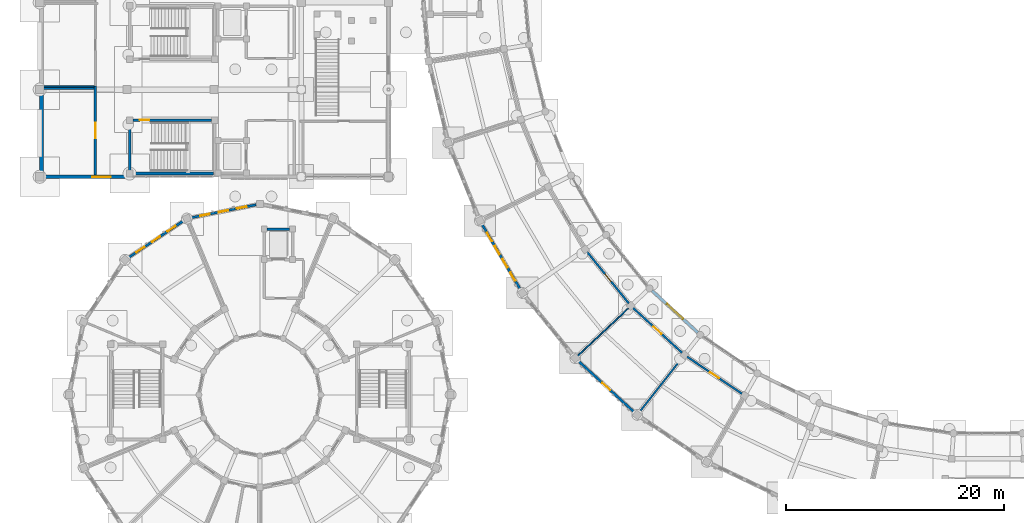
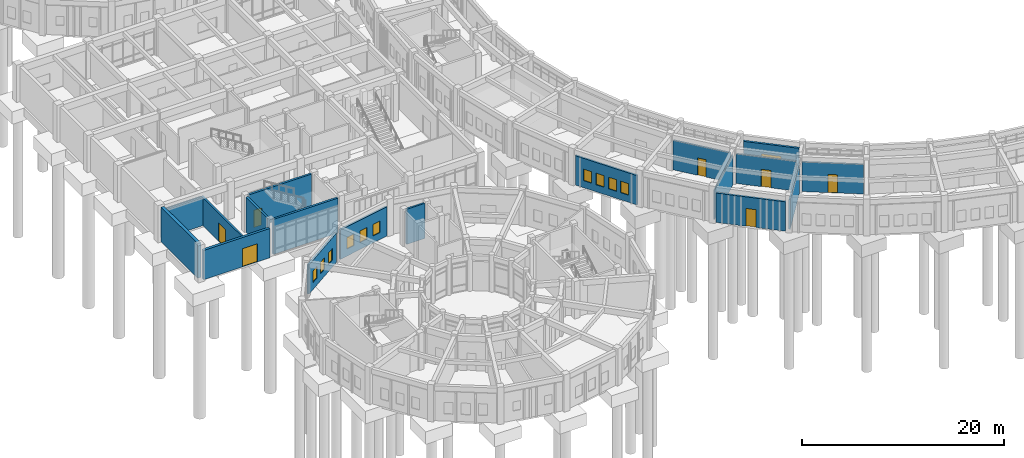
# One storey, part 118 of 153: 19 walls, 11 windows, 7 doors, 18 openings.
"""IFC4 building model written with IfcOpenShell, lengths in metres."""

from ifc_helpers import new_model, si_unit, direction, frame, frame_2d, origin, place, context, subcontext, project, spatial, rectangle, extrude, material, layer, layer_set, type_object, element, fill, save


model = new_model("IFC4")

# Units and contexts
model_context = context("Model", 3, precision=1e-05, world=origin(), true_north=direction((0.0, 1.0)))
body_context = subcontext(model_context, "Body", "Model", "MODEL_VIEW")
ifc_project = project(units=[si_unit("LENGTHUNIT", "METRE"), si_unit("AREAUNIT", "SQUARE_METRE"), si_unit("VOLUMEUNIT", "CUBIC_METRE"), si_unit("PLANEANGLEUNIT", "RADIAN"), si_unit("MASSUNIT", "GRAM", prefix="KILO")], contexts=[model_context])

# Site, building, storey
site_placement = place(None, origin())
site = spatial("IfcSite", under=ifc_project, at=site_placement, CompositionType="ELEMENT")
building_placement = place(site_placement, origin())
building = spatial("IfcBuilding", under=site, at=building_placement, Name="Celadon Cloister-Ring School", CompositionType="ELEMENT")
storey_placement = place(building_placement, origin())
storey = spatial("IfcBuildingStorey", under=building, at=storey_placement, Name="L00", CompositionType="ELEMENT", Elevation=0.0)

# Wall, opening, door
ifc_material_1 = material(Name="Rendered concrete blockwork", Category="masonry")
ifc_layer_1 = layer(ifc_material_1, 0.280029296875)
ifc_layer_set_1 = layer_set([ifc_layer_1], Name="Rendered concrete blockwork")
wall_type_1 = type_object("IfcWallType", Name="WT-EX1", PredefinedType="SOLIDWALL", material=ifc_layer_set_1)
wall_1_placement = place(storey_placement, frame((7.947998046875, 40.0, 0.0), z_axis=(0.0, 0.0, 1.0), x_axis=(-1.0, 0.0, 0.0)))
wall_1 = element("IfcWall", 1, at=wall_1_placement, inside=storey, type_object=wall_type_1, Name="Exterior Wall 0495", PredefinedType="SOLIDWALL", context=body_context, shape_type="SweptSolid", body=[
    extrude(rectangle(XDim=7.571044921875, YDim=0.280029296875, at=frame_2d((3.78564453125, 0.0))), origin(), (0.0, 0.0, 1.0), 3.550048828125),
])
opening_1_placement = place(wall_1_placement, frame((1.4208984375, 0.0, 0.0)))
opening_1 = element("IfcOpeningElement", 2, at=opening_1_placement, cuts=wall_1, Name="Opening D-0025", PredefinedType="OPENING", context=body_context, shape_type="SweptSolid", body=[
    extrude(rectangle(XDim=1.699951171875, YDim=2.199951171875, at=frame_2d((0.85009765625, 1.10009765625))), frame((0.0, 0.14990234375, 0.0), z_axis=(0.0, -1.0, 0.0), x_axis=(1.0, 0.0, 0.0)), (0.0, 0.0, 1.0), 0.300048828125),
])
ifc_material_2 = material(Name="Aluminium EN AW-6063 T6", Category="aluminium")
door_type_1 = type_object("IfcDoorType", Name="DE-09", OperationType="NOTDEFINED", PredefinedType="DOOR", material=ifc_material_2)
door_1_placement = place(opening_1_placement, origin())
door_1 = element("IfcDoor", 3, at=door_1_placement, inside=storey, type_object=door_type_1, Name="Exterior Door D-0025", OperationType="SINGLE_SWING_LEFT", OverallHeight=2.199951171875, OverallWidth=1.699951171875, PredefinedType="DOOR", context=body_context, shape_type="SweptSolid", body=[
    extrude(rectangle(XDim=1.699951171875, YDim=2.199951171875, at=frame_2d((0.85009765625, 1.10009765625))), frame((0.0, 0.02490234375, 0.0), z_axis=(0.0, -1.0, 0.0), x_axis=(1.0, 0.0, 0.0)), (0.0, 0.0, 1.0), 0.050048828125),
])
fill(opening_1, door_1)

# Wall, opening, window
ifc_material_3 = material(Name="Rendered concrete blockwork", Category="masonry")
ifc_layer_2 = layer(ifc_material_3, 0.239990234375)
ifc_layer_set_2 = layer_set([ifc_layer_2], Name="Rendered concrete blockwork")
wall_type_2 = type_object("IfcWallType", Name="WT-EX3", PredefinedType="SOLIDWALL", material=ifc_layer_set_2)
wall_2_placement = place(storey_placement, frame((56.18701171875, 29.5439453125, 0.0), z_axis=(0.0, 0.0, 1.0), x_axis=(0.737581583684, -0.675258030245, 0.0)))
wall_2 = element("IfcWall", 4, at=wall_2_placement, inside=storey, type_object=wall_type_2, Name="Exterior Wall 0019", PredefinedType="SOLIDWALL", context=body_context, shape_type="SweptSolid", body=[
    extrude(rectangle(XDim=5.66455078125, YDim=0.239990234375, at=frame_2d((2.832275390625, 0.0))), origin(), (0.0, 0.0, 1.0), 3.550048828125),
])
opening_2_placement = place(wall_2_placement, frame((1.83203125, 0.0, 0.89990234375)))
opening_2 = element("IfcOpeningElement", 5, at=opening_2_placement, cuts=wall_2, Name="Opening WN-28", PredefinedType="OPENING", context=body_context, shape_type="SweptSolid", body=[
    extrude(rectangle(XDim=2.0, YDim=1.39990234375, at=frame_2d((1.0, 0.699951171875))), frame((0.0, 0.1298828125, 0.0), z_axis=(0.0, -1.0, 0.0), x_axis=(1.0, 0.0, 0.0)), (0.0, 0.0, 1.0), 0.260009765625),
])
ifc_material_4 = material(Name="Tempered laminated insulating glass", Category="glass")
window_type_1 = type_object("IfcWindowType", Name="WN-28", PartitioningType="DOUBLE_PANEL_VERTICAL", PredefinedType="WINDOW", material=ifc_material_4)
window_1_placement = place(opening_2_placement, origin())
window_1 = element("IfcWindow", 6, at=window_1_placement, inside=storey, type_object=window_type_1, Name="Window 0046", OverallHeight=1.39990234375, OverallWidth=2.0, PartitioningType="SINGLE_PANEL", PredefinedType="WINDOW", context=body_context, shape_type="SweptSolid", body=[
    extrude(rectangle(XDim=2.0, YDim=1.39990234375, at=frame_2d((1.0, 0.699951171875))), frame((0.0, 0.030029296875, 0.0), z_axis=(0.0, -1.0, 0.0), x_axis=(1.0, 0.0, 0.0)), (0.0, 0.0, 1.0), 0.06005859375),
])
fill(opening_2, window_1)

# Wall, openings, windows
ifc_material_5 = material(Name="Perforated terracotta clay brick masonry", Category="masonry")
ifc_layer_3 = layer(ifc_material_5, 0.219970703125)
ifc_layer_set_3 = layer_set([ifc_layer_3], Name="Perforated terracotta clay brick masonry")
wall_type_3 = type_object("IfcWallType", Name="WT-EX4", PredefinedType="SOLIDWALL", material=ifc_layer_set_3)
wall_3_placement = place(storey_placement, frame((44.116943359375, 29.6298828125, 0.0), z_axis=(0.0, 0.0, 1.0), x_axis=(-0.50780734215, 0.861470663028, 0.0)))
wall_3 = element("IfcWall", 7, at=wall_3_placement, inside=storey, type_object=wall_type_3, Name="Exterior Wall 0016", PredefinedType="SOLIDWALL", context=body_context, shape_type="SweptSolid", body=[
    extrude(rectangle(XDim=7.0322265625, YDim=0.219970703125, at=frame_2d((3.51611328125, 0.0))), origin(), (0.0, 0.0, 1.0), 3.550048828125),
])
opening_3_placement = place(wall_3_placement, frame((0.9560546875, 0.0, 0.85009765625)))
opening_3 = element("IfcOpeningElement", 8, at=opening_3_placement, cuts=wall_3, Name="Opening WN-21", PredefinedType="OPENING", context=body_context, shape_type="SweptSolid", body=[
    extrude(rectangle(XDim=0.89990234375, YDim=1.39990234375, at=frame_2d((0.449951171875, 0.699951171875))), frame((0.0, 0.1201171875, 0.0), z_axis=(0.0, -1.0, 0.0), x_axis=(1.0, 0.0, 0.0)), (0.0, 0.0, 1.0), 0.239990234375),
])
opening_4_placement = place(wall_3_placement, frame((2.363037109375, 0.0, 0.85009765625)))
opening_4 = element("IfcOpeningElement", 9, at=opening_4_placement, cuts=wall_3, Name="Opening WN-21", PredefinedType="OPENING", context=body_context, shape_type="SweptSolid", body=[
    extrude(rectangle(XDim=0.89990234375, YDim=1.39990234375, at=frame_2d((0.449951171875, 0.699951171875))), frame((0.0, 0.1201171875, 0.0), z_axis=(0.0, -1.0, 0.0), x_axis=(1.0, 0.0, 0.0)), (0.0, 0.0, 1.0), 0.239990234375),
])
opening_5_placement = place(wall_3_placement, frame((3.76904296875, 0.0, 0.85009765625)))
opening_5 = element("IfcOpeningElement", 10, at=opening_5_placement, cuts=wall_3, Name="Opening WN-21", PredefinedType="OPENING", context=body_context, shape_type="SweptSolid", body=[
    extrude(rectangle(XDim=0.89990234375, YDim=1.39990234375, at=frame_2d((0.449951171875, 0.699951171875))), frame((0.0, 0.1201171875, 0.0), z_axis=(0.0, -1.0, 0.0), x_axis=(1.0, 0.0, 0.0)), (0.0, 0.0, 1.0), 0.239990234375),
])
opening_6_placement = place(wall_3_placement, frame((5.176025390625, 0.0, 0.85009765625)))
opening_6 = element("IfcOpeningElement", 11, at=opening_6_placement, cuts=wall_3, Name="Opening WN-21", PredefinedType="OPENING", context=body_context, shape_type="SweptSolid", body=[
    extrude(rectangle(XDim=0.89990234375, YDim=1.39990234375, at=frame_2d((0.449951171875, 0.699951171875))), frame((0.0, 0.1201171875, 0.0), z_axis=(0.0, -1.0, 0.0), x_axis=(1.0, 0.0, 0.0)), (0.0, 0.0, 1.0), 0.239990234375),
])
ifc_material_6 = material(Name="Tempered laminated insulating glass", Category="glass")
window_type_2 = type_object("IfcWindowType", Name="WN-21", PartitioningType="SINGLE_PANEL", PredefinedType="WINDOW", material=ifc_material_6)
window_2_placement = place(opening_3_placement, origin())
window_2 = element("IfcWindow", 12, at=window_2_placement, inside=storey, type_object=window_type_2, Name="Window 0038", OverallHeight=1.39990234375, OverallWidth=0.89990234375, PartitioningType="SINGLE_PANEL", PredefinedType="WINDOW", context=body_context, shape_type="SweptSolid", body=[
    extrude(rectangle(XDim=0.89990234375, YDim=1.39990234375, at=frame_2d((0.449951171875, 0.699951171875))), frame((0.0, 0.030029296875, 0.0), z_axis=(0.0, -1.0, 0.0), x_axis=(1.0, 0.0, 0.0)), (0.0, 0.0, 1.0), 0.06005859375),
])
fill(opening_3, window_2)
window_3_placement = place(opening_4_placement, origin())
window_3 = element("IfcWindow", 13, at=window_3_placement, inside=storey, type_object=window_type_2, Name="Window 0039", OverallHeight=1.39990234375, OverallWidth=0.89990234375, PartitioningType="SINGLE_PANEL", PredefinedType="WINDOW", context=body_context, shape_type="SweptSolid", body=[
    extrude(rectangle(XDim=0.89990234375, YDim=1.39990234375, at=frame_2d((0.449951171875, 0.699951171875))), frame((0.0, 0.030029296875, 0.0), z_axis=(0.0, -1.0, 0.0), x_axis=(1.0, 0.0, 0.0)), (0.0, 0.0, 1.0), 0.06005859375),
])
fill(opening_4, window_3)
window_4_placement = place(opening_5_placement, origin())
window_4 = element("IfcWindow", 14, at=window_4_placement, inside=storey, type_object=window_type_2, Name="Window 0040", OverallHeight=1.39990234375, OverallWidth=0.89990234375, PartitioningType="SINGLE_PANEL", PredefinedType="WINDOW", context=body_context, shape_type="SweptSolid", body=[
    extrude(rectangle(XDim=0.89990234375, YDim=1.39990234375, at=frame_2d((0.449951171875, 0.699951171875))), frame((0.0, 0.030029296875, 0.0), z_axis=(0.0, -1.0, 0.0), x_axis=(1.0, 0.0, 0.0)), (0.0, 0.0, 1.0), 0.06005859375),
])
fill(opening_5, window_4)
window_5_placement = place(opening_6_placement, origin())
window_5 = element("IfcWindow", 15, at=window_5_placement, inside=storey, type_object=window_type_2, Name="Window 0041", OverallHeight=1.39990234375, OverallWidth=0.89990234375, PartitioningType="SINGLE_PANEL", PredefinedType="WINDOW", context=body_context, shape_type="SweptSolid", body=[
    extrude(rectangle(XDim=0.89990234375, YDim=1.39990234375, at=frame_2d((0.449951171875, 0.699951171875))), frame((0.0, 0.030029296875, 0.0), z_axis=(0.0, -1.0, 0.0), x_axis=(1.0, 0.0, 0.0)), (0.0, 0.0, 1.0), 0.06005859375),
])
fill(opening_6, window_5)

# Wall, opening, door
wall_4_placement = place(storey_placement, frame((54.572021484375, 18.3798828125, 0.0), z_axis=(0.0, 0.0, 1.0), x_axis=(-0.737497040912, 0.675350364364, 0.0)))
wall_4 = element("IfcWall", 16, at=wall_4_placement, inside=storey, type_object=wall_type_3, Name="Exterior Wall 0018", PredefinedType="SOLIDWALL", context=body_context, shape_type="SweptSolid", body=[
    extrude(rectangle(XDim=7.031982421875, YDim=0.219970703125, at=frame_2d((3.51611328125, 0.0))), origin(), (0.0, 0.0, 1.0), 3.550048828125),
])
opening_7_placement = place(wall_4_placement, frame((3.01611328125, 0.0, 0.0)))
opening_7 = element("IfcOpeningElement", 17, at=opening_7_placement, cuts=wall_4, Name="Opening D-0003", PredefinedType="OPENING", context=body_context, shape_type="SweptSolid", body=[
    extrude(rectangle(XDim=1.0, YDim=2.14990234375, at=frame_2d((0.5, 1.074951171875))), frame((0.0, 0.1201171875, 0.0), z_axis=(0.0, -1.0, 0.0), x_axis=(1.0, 0.0, 0.0)), (0.0, 0.0, 1.0), 0.239990234375),
])
ifc_material_7 = material(Name="Aluminium EN AW-6063 T6", Category="aluminium")
door_type_2 = type_object("IfcDoorType", Name="DE-01", OperationType="NOTDEFINED", PredefinedType="DOOR", material=ifc_material_7)
door_2_placement = place(opening_7_placement, origin())
door_2 = element("IfcDoor", 18, at=door_2_placement, inside=storey, type_object=door_type_2, Name="Exterior Door D-0003", OperationType="SINGLE_SWING_LEFT", OverallHeight=2.14990234375, OverallWidth=1.0, PredefinedType="DOOR", context=body_context, shape_type="SweptSolid", body=[
    extrude(rectangle(XDim=1.0, YDim=2.14990234375, at=frame_2d((0.5, 1.074951171875))), frame((0.0, 0.02490234375, 0.0), z_axis=(0.0, -1.0, 0.0), x_axis=(1.0, 0.0, 0.0)), (0.0, 0.0, 1.0), 0.050048828125),
])
fill(opening_7, door_2)

# Wall, openings, windows
wall_5_placement = place(storey_placement, frame((13.85107421875, 36.237060546875, 0.0), z_axis=(0.0, 0.0, 1.0), x_axis=(0.98077967596, 0.19511849534, 0.0)))
wall_5 = element("IfcWall", 19, at=wall_5_placement, inside=storey, type_object=wall_type_3, Name="Exterior Wall 0296", PredefinedType="SOLIDWALL", context=body_context, shape_type="SweptSolid", body=[
    extrude(rectangle(XDim=6.11865234375, YDim=0.219970703125, at=frame_2d((3.059326171875, 0.0))), origin(), (0.0, 0.0, 1.0), 3.550048828125),
])
opening_8_placement = place(wall_5_placement, frame((0.89599609375, 0.0, 0.85009765625)))
opening_8 = element("IfcOpeningElement", 20, at=opening_8_placement, cuts=wall_5, Name="Opening WN-21", PredefinedType="OPENING", context=body_context, shape_type="SweptSolid", body=[
    extrude(rectangle(XDim=0.89990234375, YDim=1.39990234375, at=frame_2d((0.449951171875, 0.699951171875))), frame((0.0, 0.1201171875, 0.0), z_axis=(0.0, -1.0, 0.0), x_axis=(1.0, 0.0, 0.0)), (0.0, 0.0, 1.0), 0.239990234375),
])
opening_9_placement = place(wall_5_placement, frame((2.60888671875, 0.0, 0.85009765625)))
opening_9 = element("IfcOpeningElement", 21, at=opening_9_placement, cuts=wall_5, Name="Opening WN-21", PredefinedType="OPENING", context=body_context, shape_type="SweptSolid", body=[
    extrude(rectangle(XDim=0.89990234375, YDim=1.39990234375, at=frame_2d((0.449951171875, 0.699951171875))), frame((0.0, 0.1201171875, 0.0), z_axis=(0.0, -1.0, 0.0), x_axis=(1.0, 0.0, 0.0)), (0.0, 0.0, 1.0), 0.239990234375),
])
opening_10_placement = place(wall_5_placement, frame((4.322998046875, 0.0, 0.85009765625)))
opening_10 = element("IfcOpeningElement", 22, at=opening_10_placement, cuts=wall_5, Name="Opening WN-21", PredefinedType="OPENING", context=body_context, shape_type="SweptSolid", body=[
    extrude(rectangle(XDim=0.89990234375, YDim=1.39990234375, at=frame_2d((0.449951171875, 0.699951171875))), frame((0.0, 0.1201171875, 0.0), z_axis=(0.0, -1.0, 0.0), x_axis=(1.0, 0.0, 0.0)), (0.0, 0.0, 1.0), 0.239990234375),
])
window_6_placement = place(opening_8_placement, origin())
window_6 = element("IfcWindow", 23, at=window_6_placement, inside=storey, type_object=window_type_2, Name="Window 0771", OverallHeight=1.39990234375, OverallWidth=0.89990234375, PartitioningType="SINGLE_PANEL", PredefinedType="WINDOW", context=body_context, shape_type="SweptSolid", body=[
    extrude(rectangle(XDim=0.89990234375, YDim=1.39990234375, at=frame_2d((0.449951171875, 0.699951171875))), frame((0.0, 0.030029296875, 0.0), z_axis=(0.0, -1.0, 0.0), x_axis=(1.0, 0.0, 0.0)), (0.0, 0.0, 1.0), 0.06005859375),
])
fill(opening_8, window_6)
window_7_placement = place(opening_9_placement, origin())
window_7 = element("IfcWindow", 24, at=window_7_placement, inside=storey, type_object=window_type_2, Name="Window 0772", OverallHeight=1.39990234375, OverallWidth=0.89990234375, PartitioningType="SINGLE_PANEL", PredefinedType="WINDOW", context=body_context, shape_type="SweptSolid", body=[
    extrude(rectangle(XDim=0.89990234375, YDim=1.39990234375, at=frame_2d((0.449951171875, 0.699951171875))), frame((0.0, 0.030029296875, 0.0), z_axis=(0.0, -1.0, 0.0), x_axis=(1.0, 0.0, 0.0)), (0.0, 0.0, 1.0), 0.06005859375),
])
fill(opening_9, window_7)
window_8_placement = place(opening_10_placement, origin())
window_8 = element("IfcWindow", 25, at=window_8_placement, inside=storey, type_object=window_type_2, Name="Window 0773", OverallHeight=1.39990234375, OverallWidth=0.89990234375, PartitioningType="SINGLE_PANEL", PredefinedType="WINDOW", context=body_context, shape_type="SweptSolid", body=[
    extrude(rectangle(XDim=0.89990234375, YDim=1.39990234375, at=frame_2d((0.449951171875, 0.699951171875))), frame((0.0, 0.030029296875, 0.0), z_axis=(0.0, -1.0, 0.0), x_axis=(1.0, 0.0, 0.0)), (0.0, 0.0, 1.0), 0.06005859375),
])
fill(opening_10, window_8)

wall_6_placement = place(storey_placement, frame((8.12109375, 32.571044921875, 0.0), z_axis=(0.0, 0.0, 1.0), x_axis=(0.83139901156, 0.555675879967, 0.0)))
wall_6 = element("IfcWall", 26, at=wall_6_placement, inside=storey, type_object=wall_type_3, Name="Exterior Wall 0297", PredefinedType="SOLIDWALL", context=body_context, shape_type="SweptSolid", body=[
    extrude(rectangle(XDim=6.118408203125, YDim=0.219970703125, at=frame_2d((3.05908203125, 0.0))), origin(), (0.0, 0.0, 1.0), 3.550048828125),
])
opening_11_placement = place(wall_6_placement, frame((0.89599609375, 0.0, 0.85009765625)))
opening_11 = element("IfcOpeningElement", 27, at=opening_11_placement, cuts=wall_6, Name="Opening WN-21", PredefinedType="OPENING", context=body_context, shape_type="SweptSolid", body=[
    extrude(rectangle(XDim=0.89990234375, YDim=1.39990234375, at=frame_2d((0.449951171875, 0.699951171875))), frame((0.0, 0.1201171875, 0.0), z_axis=(0.0, -1.0, 0.0), x_axis=(1.0, 0.0, 0.0)), (0.0, 0.0, 1.0), 0.239990234375),
])
opening_12_placement = place(wall_6_placement, frame((2.60888671875, 0.0, 0.85009765625)))
opening_12 = element("IfcOpeningElement", 28, at=opening_12_placement, cuts=wall_6, Name="Opening WN-21", PredefinedType="OPENING", context=body_context, shape_type="SweptSolid", body=[
    extrude(rectangle(XDim=0.89990234375, YDim=1.39990234375, at=frame_2d((0.449951171875, 0.699951171875))), frame((0.0, 0.1201171875, 0.0), z_axis=(0.0, -1.0, 0.0), x_axis=(1.0, 0.0, 0.0)), (0.0, 0.0, 1.0), 0.239990234375),
])
opening_13_placement = place(wall_6_placement, frame((4.322998046875, 0.0, 0.85009765625)))
opening_13 = element("IfcOpeningElement", 29, at=opening_13_placement, cuts=wall_6, Name="Opening WN-21", PredefinedType="OPENING", context=body_context, shape_type="SweptSolid", body=[
    extrude(rectangle(XDim=0.89990234375, YDim=1.39990234375, at=frame_2d((0.449951171875, 0.699951171875))), frame((0.0, 0.1201171875, 0.0), z_axis=(0.0, -1.0, 0.0), x_axis=(1.0, 0.0, 0.0)), (0.0, 0.0, 1.0), 0.239990234375),
])
window_9_placement = place(opening_11_placement, origin())
window_9 = element("IfcWindow", 30, at=window_9_placement, inside=storey, type_object=window_type_2, Name="Window 0774", OverallHeight=1.39990234375, OverallWidth=0.89990234375, PartitioningType="SINGLE_PANEL", PredefinedType="WINDOW", context=body_context, shape_type="SweptSolid", body=[
    extrude(rectangle(XDim=0.89990234375, YDim=1.39990234375, at=frame_2d((0.449951171875, 0.699951171875))), frame((0.0, 0.030029296875, 0.0), z_axis=(0.0, -1.0, 0.0), x_axis=(1.0, 0.0, 0.0)), (0.0, 0.0, 1.0), 0.06005859375),
])
fill(opening_11, window_9)
window_10_placement = place(opening_12_placement, origin())
window_10 = element("IfcWindow", 31, at=window_10_placement, inside=storey, type_object=window_type_2, Name="Window 0775", OverallHeight=1.39990234375, OverallWidth=0.89990234375, PartitioningType="SINGLE_PANEL", PredefinedType="WINDOW", context=body_context, shape_type="SweptSolid", body=[
    extrude(rectangle(XDim=0.89990234375, YDim=1.39990234375, at=frame_2d((0.449951171875, 0.699951171875))), frame((0.0, 0.030029296875, 0.0), z_axis=(0.0, -1.0, 0.0), x_axis=(1.0, 0.0, 0.0)), (0.0, 0.0, 1.0), 0.06005859375),
])
fill(opening_12, window_10)
window_11_placement = place(opening_13_placement, origin())
window_11 = element("IfcWindow", 32, at=window_11_placement, inside=storey, type_object=window_type_2, Name="Window 0776", OverallHeight=1.39990234375, OverallWidth=0.89990234375, PartitioningType="SINGLE_PANEL", PredefinedType="WINDOW", context=body_context, shape_type="SweptSolid", body=[
    extrude(rectangle(XDim=0.89990234375, YDim=1.39990234375, at=frame_2d((0.449951171875, 0.699951171875))), frame((0.0, 0.030029296875, 0.0), z_axis=(0.0, -1.0, 0.0), x_axis=(1.0, 0.0, 0.0)), (0.0, 0.0, 1.0), 0.06005859375),
])
fill(opening_13, window_11)

# Wall
ifc_material_8 = material(Name="Concrete C40/50", Category="concrete")
ifc_layer_4 = layer(ifc_material_8, 0.35009765625)
ifc_layer_set_4 = layer_set([ifc_layer_4], Name="Concrete C40/50")
wall_type_4 = type_object("IfcWallType", Name="WT-FW2", PredefinedType="SHEAR", material=ifc_layer_set_4)
wall_7_placement = place(storey_placement, frame((0.175048828125, 40.376953125, 0.0), z_axis=(0.0, 0.0, 1.0), x_axis=(0.0, 1.0, 0.0)))
element("IfcWall", 33, at=wall_7_placement, inside=storey, type_object=wall_type_4, Name="Exterior Wall 0496", PredefinedType="SHEAR", context=body_context, shape_type="SweptSolid", body=[
    extrude(rectangle(XDim=7.24609375, YDim=0.35009765625, at=frame_2d((3.623046875, 0.0))), origin(), (0.0, 0.0, 1.0), 4.199951171875),
])

# Wall, opening, door
ifc_material_9 = material(Name="Plastered hollow concrete masonry", Category="masonry")
ifc_layer_5 = layer(ifc_material_9, 0.199951171875)
ifc_layer_set_5 = layer_set([ifc_layer_5], Name="Plastered hollow concrete masonry")
wall_type_5 = type_object("IfcWallType", Name="WT-PT1", PredefinedType="PARTITIONING", material=ifc_layer_set_5)
wall_8_placement = place(storey_placement, frame((5.10009765625, 48.340087890625, 0.0), z_axis=(0.0, 0.0, 1.0), x_axis=(0.0, -1.0, 0.0)))
wall_8 = element("IfcWall", 34, at=wall_8_placement, inside=storey, type_object=wall_type_5, Name="Interior Wall 0911", PredefinedType="PARTITIONING", context=body_context, shape_type="SweptSolid", body=[
    extrude(rectangle(XDim=8.197021484375, YDim=0.199951171875, at=frame_2d((4.0986328125, 0.0))), origin(), (0.0, 0.0, 1.0), 3.382080078125),
])
opening_14_placement = place(wall_8_placement, frame((3.3740234375, 0.0, 0.0)))
opening_14 = element("IfcOpeningElement", 35, at=opening_14_placement, cuts=wall_8, Name="Opening D-0332", PredefinedType="OPENING", context=body_context, shape_type="SweptSolid", body=[
    extrude(rectangle(XDim=1.449951171875, YDim=2.199951171875, at=frame_2d((0.72509765625, 1.10009765625))), frame((0.0, 0.10986328125, 0.0), z_axis=(0.0, -1.0, 0.0), x_axis=(1.0, 0.0, 0.0)), (0.0, 0.0, 1.0), 0.219970703125),
])
ifc_material_10 = material(Name="Galvanised fire-rated hollow steel leaf", Category="steel")
door_type_3 = type_object("IfcDoorType", Name="DT-12", OperationType="NOTDEFINED", PredefinedType="DOOR", material=ifc_material_10)
door_3_placement = place(opening_14_placement, origin())
door_3 = element("IfcDoor", 36, at=door_3_placement, inside=storey, type_object=door_type_3, Name="Door D-0332", OperationType="SINGLE_SWING_RIGHT", OverallHeight=2.199951171875, OverallWidth=1.449951171875, PredefinedType="DOOR", context=body_context, shape_type="SweptSolid", body=[
    extrude(rectangle(XDim=1.449951171875, YDim=2.199951171875, at=frame_2d((0.72509765625, 1.10009765625))), frame((0.0, 0.02490234375, 0.0), z_axis=(0.0, -1.0, 0.0), x_axis=(1.0, 0.0, 0.0)), (0.0, 0.0, 1.0), 0.050048828125),
])
fill(opening_14, door_3)

# Wall
wall_9_placement = place(storey_placement, frame((0.366943359375, 48.10009765625, 0.0), z_axis=(0.0, 0.0, 1.0), x_axis=(1.0, 0.0, 0.0)))
element("IfcWall", 37, at=wall_9_placement, inside=storey, type_object=wall_type_5, Name="Interior Wall 0912", PredefinedType="PARTITIONING", context=body_context, shape_type="SweptSolid", body=[
    extrude(rectangle(XDim=4.630126953125, YDim=0.199951171875, at=frame_2d((2.31494140625, 0.0))), origin(), (0.0, 0.0, 1.0), 3.382080078125),
])

# Wall, opening, door
ifc_material_11 = material(Name="Plastered hollow concrete masonry", Category="masonry")
ifc_layer_6 = layer(ifc_material_11, 0.179931640625)
ifc_layer_set_6 = layer_set([ifc_layer_6], Name="Plastered hollow concrete masonry")
wall_type_6 = type_object("IfcWallType", Name="WT-PT2", PredefinedType="PARTITIONING", material=ifc_layer_set_6)
wall_10_placement = place(storey_placement, frame((50.221923828125, 33.10595703125, 0.0), z_axis=(0.0, 0.0, 1.0), x_axis=(0.629617338729, -0.776905404005, 0.0)))
wall_10 = element("IfcWall", 38, at=wall_10_placement, inside=storey, type_object=wall_type_6, Name="Interior Wall 0463", PredefinedType="PARTITIONING", context=body_context, shape_type="SweptSolid", body=[
    extrude(rectangle(XDim=6.08154296875, YDim=0.179931640625, at=frame_2d((3.040771484375, 0.0))), origin(), (0.0, 0.0, 1.0), 3.572021484375),
])
opening_15_placement = place(wall_10_placement, frame((2.60107421875, 0.0, 0.0)))
opening_15 = element("IfcOpeningElement", 39, at=opening_15_placement, cuts=wall_10, Name="Opening D-0124", PredefinedType="OPENING", context=body_context, shape_type="SweptSolid", body=[
    extrude(rectangle(XDim=0.8798828125, YDim=2.10009765625, at=frame_2d((0.43994140625, 1.050048828125))), frame((0.0, 0.10009765625, 0.0), z_axis=(0.0, -1.0, 0.0), x_axis=(1.0, 0.0, 0.0)), (0.0, 0.0, 1.0), 0.199951171875),
])
ifc_material_12 = material(Name="Solid-core fire-rated hardwood leaf", Category="wood")
door_type_4 = type_object("IfcDoorType", Name="DT-01", OperationType="NOTDEFINED", PredefinedType="DOOR", material=ifc_material_12)
door_4_placement = place(opening_15_placement, origin())
door_4 = element("IfcDoor", 40, at=door_4_placement, inside=storey, type_object=door_type_4, Name="Door D-0124", OperationType="SINGLE_SWING_RIGHT", OverallHeight=2.10009765625, OverallWidth=0.8798828125, PredefinedType="DOOR", context=body_context, shape_type="SweptSolid", body=[
    extrude(rectangle(XDim=0.8798828125, YDim=2.10009765625, at=frame_2d((0.43994140625, 1.050048828125))), frame((0.0, 0.02490234375, 0.0), z_axis=(0.0, -1.0, 0.0), x_axis=(1.0, 0.0, 0.0)), (0.0, 0.0, 1.0), 0.050048828125),
])
fill(opening_15, door_4)

wall_11_placement = place(storey_placement, frame((54.450927734375, 27.9560546875, 0.0), z_axis=(0.0, 0.0, 1.0), x_axis=(0.737595632739, -0.675242684199, 0.0)))
wall_11 = element("IfcWall", 41, at=wall_11_placement, inside=storey, type_object=wall_type_6, Name="Interior Wall 0464", PredefinedType="PARTITIONING", context=body_context, shape_type="SweptSolid", body=[
    extrude(rectangle(XDim=6.080810546875, YDim=0.179931640625, at=frame_2d((3.04052734375, 0.0))), origin(), (0.0, 0.0, 1.0), 3.572021484375),
])
opening_16_placement = place(wall_11_placement, frame((2.5400390625, 0.0, 0.0)))
opening_16 = element("IfcOpeningElement", 42, at=opening_16_placement, cuts=wall_11, Name="Opening D-0125", PredefinedType="OPENING", context=body_context, shape_type="SweptSolid", body=[
    extrude(rectangle(XDim=1.0, YDim=2.10009765625, at=frame_2d((0.5, 1.050048828125))), frame((0.0, 0.10009765625, 0.0), z_axis=(0.0, -1.0, 0.0), x_axis=(1.0, 0.0, 0.0)), (0.0, 0.0, 1.0), 0.199951171875),
])
ifc_material_13 = material(Name="Solid-core fire-rated hardwood leaf", Category="wood")
door_type_5 = type_object("IfcDoorType", Name="DT-04", OperationType="NOTDEFINED", PredefinedType="DOOR", material=ifc_material_13)
door_5_placement = place(opening_16_placement, origin())
door_5 = element("IfcDoor", 43, at=door_5_placement, inside=storey, type_object=door_type_5, Name="Door D-0125", OperationType="SINGLE_SWING_LEFT", OverallHeight=2.10009765625, OverallWidth=1.0, PredefinedType="DOOR", context=body_context, shape_type="SweptSolid", body=[
    extrude(rectangle(XDim=1.0, YDim=2.10009765625, at=frame_2d((0.5, 1.050048828125))), frame((0.0, 0.02490234375, 0.0), z_axis=(0.0, -1.0, 0.0), x_axis=(1.0, 0.0, 0.0)), (0.0, 0.0, 1.0), 0.050048828125),
])
fill(opening_16, door_5)

wall_12_placement = place(storey_placement, frame((59.39501953125, 23.488037109375, 0.0), z_axis=(0.0, 0.0, 1.0), x_axis=(0.829259954876, -0.558863066626, 0.0)))
wall_12 = element("IfcWall", 44, at=wall_12_placement, inside=storey, type_object=wall_type_6, Name="Interior Wall 0465", PredefinedType="PARTITIONING", context=body_context, shape_type="SweptSolid", body=[
    extrude(rectangle(XDim=6.080078125, YDim=0.179931640625, at=frame_2d((3.0400390625, 0.0))), origin(), (0.0, 0.0, 1.0), 3.572021484375),
])
opening_17_placement = place(wall_12_placement, frame((2.550048828125, 0.0, 0.0)))
opening_17 = element("IfcOpeningElement", 45, at=opening_17_placement, cuts=wall_12, Name="Opening D-0126", PredefinedType="OPENING", context=body_context, shape_type="SweptSolid", body=[
    extrude(rectangle(XDim=0.97998046875, YDim=2.199951171875, at=frame_2d((0.489990234375, 1.10009765625))), frame((0.0, 0.10009765625, 0.0), z_axis=(0.0, -1.0, 0.0), x_axis=(1.0, 0.0, 0.0)), (0.0, 0.0, 1.0), 0.199951171875),
])
ifc_material_14 = material(Name="Solid-core fire-rated hardwood leaf", Category="wood")
door_type_6 = type_object("IfcDoorType", Name="DT-07", OperationType="NOTDEFINED", PredefinedType="DOOR", material=ifc_material_14)
door_6_placement = place(opening_17_placement, origin())
door_6 = element("IfcDoor", 46, at=door_6_placement, inside=storey, type_object=door_type_6, Name="Door D-0126", OperationType="SINGLE_SWING_RIGHT", OverallHeight=2.199951171875, OverallWidth=0.97998046875, PredefinedType="DOOR", context=body_context, shape_type="SweptSolid", body=[
    extrude(rectangle(XDim=0.97998046875, YDim=2.199951171875, at=frame_2d((0.489990234375, 1.10009765625))), frame((0.0, 0.02490234375, 0.0), z_axis=(0.0, -1.0, 0.0), x_axis=(1.0, 0.0, 0.0)), (0.0, 0.0, 1.0), 0.050048828125),
])
fill(opening_17, door_6)

# Walls
ifc_material_15 = material(Name="Plastered hollow concrete masonry", Category="masonry")
ifc_layer_7 = layer(ifc_material_15, 0.159912109375)
ifc_layer_set_7 = layer_set([ifc_layer_7], Name="Plastered hollow concrete masonry")
wall_type_7 = type_object("IfcWallType", Name="WT-PT3", PredefinedType="PARTITIONING", material=ifc_layer_set_7)
wall_13_placement = place(storey_placement, frame((58.970947265625, 23.423095703125, 0.0), z_axis=(0.0, 0.0, 1.0), x_axis=(-0.618765808191, -0.785575505355, 0.0)))
element("IfcWall", 47, at=wall_13_placement, inside=storey, type_object=wall_type_7, Name="Interior Wall 0435", PredefinedType="PARTITIONING", context=body_context, shape_type="SweptSolid", body=[
    extrude(rectangle(XDim=6.3916015625, YDim=0.159912109375, at=frame_2d((3.19580078125, 0.0))), origin(), (0.0, 0.0, 1.0), 3.572021484375),
])
ifc_material_16 = material(Name="Acoustic mineral-wool drywall partition")
ifc_layer_8 = layer(ifc_material_16, 0.139892578125)
ifc_layer_set_8 = layer_set([ifc_layer_8], Name="Acoustic mineral-wool drywall partition")
wall_type_8 = type_object("IfcWallType", Name="WT-PT4", PredefinedType="PARTITIONING", material=ifc_layer_set_8)
wall_14_placement = place(storey_placement, frame((4.9970703125, 48.300048828125, 0.0), z_axis=(0.0, 0.0, 1.0), x_axis=(-1.0, 0.0, 0.0)))
element("IfcWall", 48, at=wall_14_placement, inside=storey, type_object=wall_type_8, Name="Interior Wall 0915", PredefinedType="PARTITIONING", context=body_context, shape_type="SweptSolid", body=[
    extrude(rectangle(XDim=4.630126953125, YDim=0.139892578125, at=frame_2d((2.31494140625, 0.0))), origin(), (0.0, 0.0, 1.0), 3.382080078125),
])
ifc_material_17 = material(Name="Acoustic mineral-wool drywall partition")
ifc_layer_9 = layer(ifc_material_17, 0.1201171875)
ifc_layer_set_9 = layer_set([ifc_layer_9], Name="Acoustic mineral-wool drywall partition")
wall_type_9 = type_object("IfcWallType", Name="WT-PT5", PredefinedType="PARTITIONING", material=ifc_layer_set_9)
wall_15_placement = place(storey_placement, frame((54.02197265625, 27.9541015625, 0.0), z_axis=(0.0, 0.0, 1.0), x_axis=(-0.728064278851, -0.685508866362, 0.0)))
element("IfcWall", 49, at=wall_15_placement, inside=storey, type_object=wall_type_9, Name="Interior Wall 0434", PredefinedType="PARTITIONING", context=body_context, shape_type="SweptSolid", body=[
    extrude(rectangle(XDim=6.39111328125, YDim=0.1201171875, at=frame_2d((3.195556640625, 0.0))), origin(), (0.0, 0.0, 1.0), 3.572021484375),
])
ifc_material_18 = material(Name="Concrete C40/50", Category="concrete")
ifc_layer_10 = layer(ifc_material_18, 0.239990234375)
ifc_layer_set_10 = layer_set([ifc_layer_10], Name="Concrete C40/50")
wall_type_10 = type_object("IfcWallType", Name="WT-SH1", PredefinedType="SHEAR", material=ifc_layer_set_10)
wall_16_placement = place(storey_placement, frame((8.25, 40.592041015625, 0.0), z_axis=(0.0, 0.0, 1.0), x_axis=(0.0, 1.0, 0.0)))
element("IfcWall", 50, at=wall_16_placement, inside=storey, type_object=wall_type_10, Name="Interior Wall 0001", PredefinedType="SHEAR", context=body_context, shape_type="SweptSolid", body=[
    extrude(rectangle(XDim=4.31591796875, YDim=0.239990234375, at=frame_2d((2.157958984375, 0.0))), origin(), (0.0, 0.0, 1.0), 4.239990234375),
])
wall_17_placement = place(storey_placement, frame((15.927001953125, 40.300048828125, 0.0), z_axis=(0.0, 0.0, 1.0), x_axis=(-1.0, 0.0, 0.0)))
element("IfcWall", 51, at=wall_17_placement, inside=storey, type_object=wall_type_10, Name="Interior Wall 0003", PredefinedType="SHEAR", context=body_context, shape_type="SweptSolid", body=[
    extrude(rectangle(XDim=7.385009765625, YDim=0.239990234375, at=frame_2d((3.6923828125, 0.0))), origin(), (0.0, 0.0, 1.0), 4.239990234375),
])

# Wall, opening, door
wall_18_placement = place(storey_placement, frame((8.5419921875, 45.199951171875, 0.0), z_axis=(0.0, 0.0, 1.0), x_axis=(1.0, 0.0, 0.0)))
wall_18 = element("IfcWall", 52, at=wall_18_placement, inside=storey, type_object=wall_type_10, Name="Interior Wall 0004", PredefinedType="SHEAR", context=body_context, shape_type="SweptSolid", body=[
    extrude(rectangle(XDim=7.216064453125, YDim=0.239990234375, at=frame_2d((3.60791015625, 0.0))), origin(), (0.0, 0.0, 1.0), 4.239990234375),
])
opening_18_placement = place(wall_18_placement, frame((0.64208984375, 0.0, 0.0)))
opening_18 = element("IfcOpeningElement", 53, at=opening_18_placement, cuts=wall_18, Name="Opening D-0033", PredefinedType="OPENING", context=body_context, shape_type="SweptSolid", body=[
    extrude(rectangle(XDim=0.8798828125, YDim=2.10009765625, at=frame_2d((0.43994140625, 1.050048828125))), frame((0.0, 0.1298828125, 0.0), z_axis=(0.0, -1.0, 0.0), x_axis=(1.0, 0.0, 0.0)), (0.0, 0.0, 1.0), 0.260009765625),
])
door_7_placement = place(opening_18_placement, origin())
door_7 = element("IfcDoor", 54, at=door_7_placement, inside=storey, type_object=door_type_4, Name="Door D-0033", OperationType="SINGLE_SWING_LEFT", OverallHeight=2.10009765625, OverallWidth=0.8798828125, PredefinedType="DOOR", context=body_context, shape_type="SweptSolid", body=[
    extrude(rectangle(XDim=0.8798828125, YDim=2.10009765625, at=frame_2d((0.43994140625, 1.050048828125))), frame((0.0, 0.02490234375, 0.0), z_axis=(0.0, -1.0, 0.0), x_axis=(1.0, 0.0, 0.0)), (0.0, 0.0, 1.0), 0.050048828125),
])
fill(opening_18, door_7)

# Wall
ifc_material_19 = material(Name="Concrete C40/50", Category="concrete")
ifc_layer_11 = layer(ifc_material_19, 0.219970703125)
ifc_layer_set_11 = layer_set([ifc_layer_11], Name="Concrete C40/50")
wall_type_11 = type_object("IfcWallType", Name="WT-SH2", PredefinedType="SHEAR", material=ifc_layer_set_11)
wall_19_placement = place(storey_placement, frame((22.93310546875, 35.199951171875, 0.0), z_axis=(0.0, 0.0, 1.0), x_axis=(-1.0, 0.0, 0.0)))
element("IfcWall", 55, at=wall_19_placement, inside=storey, type_object=wall_type_11, Name="Interior Wall 0369", PredefinedType="SHEAR", context=body_context, shape_type="SweptSolid", body=[
    extrude(rectangle(XDim=2.066162109375, YDim=0.219970703125, at=frame_2d((1.033203125, 0.0))), origin(), (0.0, 0.0, 1.0), 4.239990234375),
])

save(model, "model.ifc")
